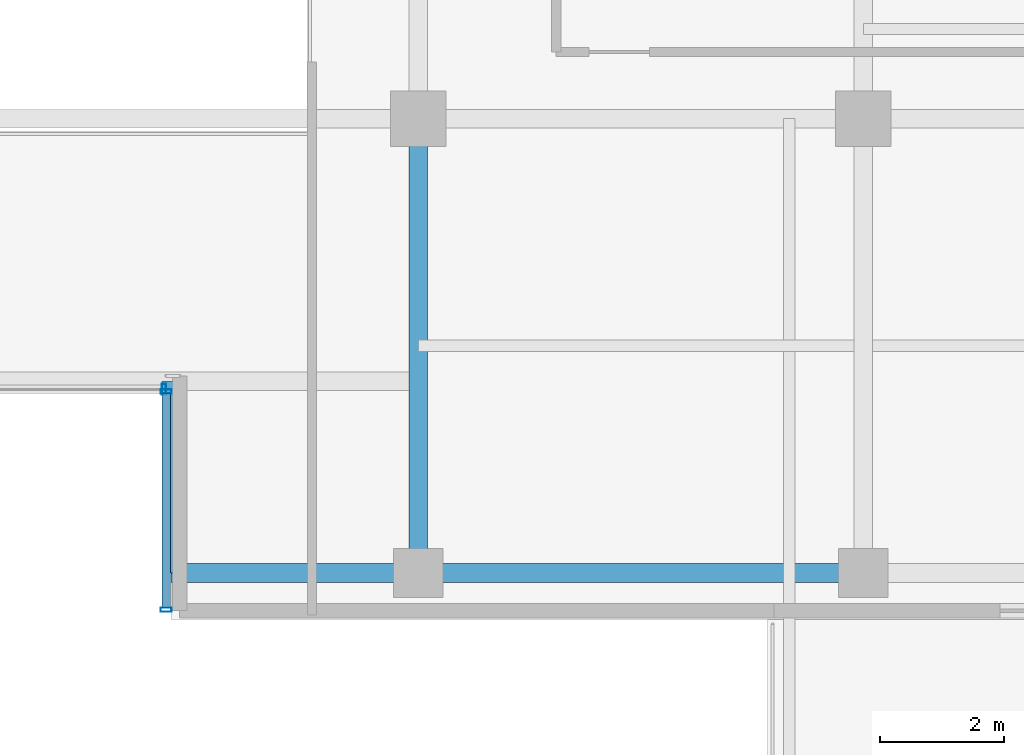
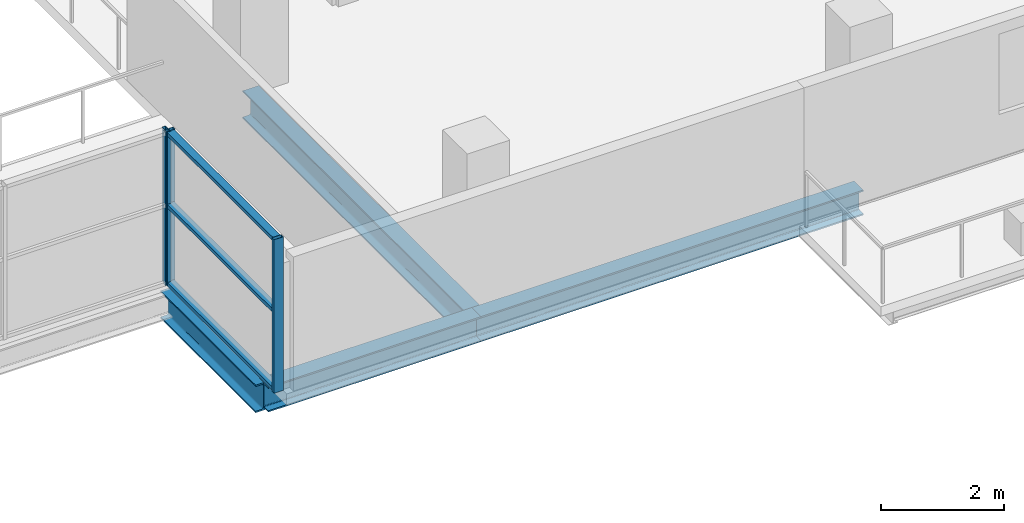
# One storey, part 11 of 25: 6 members, 4 beams, 2 elements without a shape of their own.
"""IFC4 building model written with IfcOpenShell, lengths in metres."""

from ifc_helpers import new_model, si_unit, direction, frame, origin, origin_2d, place, context, subcontext, project, spatial, hollow_rectangle, i_section, extrude, source, transform, mapped, material, layer, layer_set, material_profile, profile_set, type_object, element, aggregate, save


model = new_model("IFC4")

# Units and contexts
model_context = context("Model", 3, precision=1e-05, world=origin(), true_north=direction((0.0, 1.0)))
body_context = subcontext(model_context, "Body", "Model", "MODEL_VIEW")
ifc_project = project(units=[si_unit("LENGTHUNIT", "METRE"), si_unit("AREAUNIT", "SQUARE_METRE"), si_unit("VOLUMEUNIT", "CUBIC_METRE"), si_unit("PLANEANGLEUNIT", "RADIAN"), si_unit("MASSUNIT", "GRAM", prefix="KILO")], contexts=[model_context])

# Site, building, storey
site_placement = place(None, origin())
site = spatial("IfcSite", under=ifc_project, at=site_placement, CompositionType="ELEMENT")
building_placement = place(site_placement, origin())
building = spatial("IfcBuilding", under=site, at=building_placement, Name="Zarnakvel Exchange Tower", CompositionType="ELEMENT")
storey_placement = place(building_placement, frame((0.0, 0.0, 93.39990234375)))
storey = spatial("IfcBuildingStorey", under=building, at=storey_placement, Name="L25", CompositionType="ELEMENT", Elevation=93.39990234375)

# Beams
ifc_material_1 = material(Name="Steel S355", Category="steel")
ifc_material_profile_1 = material_profile(ifc_material_1, i_section(OverallWidth=0.300048828125, OverallDepth=0.550048828125, WebThickness=0.014892578125, FlangeThickness=0.029052734375, FilletRadius=0.027099609375, at=origin_2d()))
ifc_profile_set_1 = profile_set([ifc_material_profile_1], Name="Steel S355")
beam_type_1 = type_object("IfcBeamType", Name="G-05", PredefinedType="BEAM", material=ifc_profile_set_1)
beam_1_placement = place(storey_placement, frame((3.199951171875, -16.949951171875, -0.5), z_axis=(0.0, 1.0, 0.0), x_axis=(-1.0, 0.0, 0.0)))
element("IfcBeam", 1, at=beam_1_placement, inside=storey, type_object=beam_type_1, Name="L25 South Slot East Cheek Beam", PredefinedType="BEAM", context=body_context, shape_type="SweptSolid", body=[
    extrude(i_section(OverallWidth=0.300048828125, OverallDepth=0.550048828125, WebThickness=0.014892578125, FlangeThickness=0.029052734375, FilletRadius=0.027099609375, at=origin_2d()), origin(), (0.0, 0.0, 1.0), 3.099853515625),
])
beam_2_placement = place(storey_placement, frame((7.199951171875, -16.949951171875, -0.5), z_axis=(0.0, 1.0, 0.0), x_axis=(-1.0, 0.0, 0.0)))
element("IfcBeam", 2, at=beam_2_placement, inside=storey, type_object=beam_type_1, Name="L25 Tower N-S Frame Beam", PredefinedType="BEAM", context=body_context, shape_type="SweptSolid", body=[
    extrude(i_section(OverallWidth=0.300048828125, OverallDepth=0.550048828125, WebThickness=0.014892578125, FlangeThickness=0.029052734375, FilletRadius=0.027099609375, at=origin_2d()), origin(), (0.0, 0.0, 1.0), 7.349853515625),
])
ifc_material_profile_2 = material_profile(ifc_material_1, i_section(OverallWidth=0.300048828125, OverallDepth=0.5, WebThickness=0.014404296875, FlangeThickness=0.028076171875, FilletRadius=0.027099609375, at=origin_2d()))
ifc_profile_set_2 = profile_set([ifc_material_profile_2], Name="Steel S355")
beam_type_2 = type_object("IfcBeamType", Name="SP-02", PredefinedType="SPANDREL", material=ifc_profile_set_2)
beam_3_placement = place(storey_placement, frame((3.199951171875, -16.949951171875, -0.474853515625), z_axis=(1.0, 0.0, 0.0), x_axis=(0.0, 1.0, 0.0)))
element("IfcBeam", 3, at=beam_3_placement, inside=storey, type_object=beam_type_2, Name="L25 South Slot East Jamb Spandrel", PredefinedType="SPANDREL", context=body_context, shape_type="SweptSolid", body=[
    extrude(i_section(OverallWidth=0.300048828125, OverallDepth=0.5, WebThickness=0.014404296875, FlangeThickness=0.028076171875, FilletRadius=0.027099609375, at=origin_2d()), origin(), (0.0, 0.0, 1.0), 4.0),
])
beam_4_placement = place(storey_placement, frame((7.199951171875, -16.949951171875, -0.474853515625), z_axis=(1.0, 0.0, 0.0), x_axis=(0.0, 1.0, 0.0)))
element("IfcBeam", 4, at=beam_4_placement, inside=storey, type_object=beam_type_2, Name="L25 Tower E-W Frame Beam", PredefinedType="SPANDREL", context=body_context, shape_type="SweptSolid", body=[
    extrude(i_section(OverallWidth=0.300048828125, OverallDepth=0.5, WebThickness=0.014404296875, FlangeThickness=0.028076171875, FilletRadius=0.027099609375, at=origin_2d()), origin(), (0.0, 0.0, 1.0), 7.199951171875),
])

# Curtain wall, member
ifc_material_2 = material(Name="Architectural Bronze Anodised Aluminium", Category="aluminium")
ifc_layer = layer(ifc_material_2, 0.179931640625)
ifc_layer_set = layer_set([ifc_layer], Name="Architectural Bronze Anodised Aluminium")
curtain_wall_type = type_object("IfcCurtainWallType", Name="CW-05", PredefinedType="NOTDEFINED", material=ifc_layer_set)
curtain_wall_1_placement = place(storey_placement, origin())
curtain_wall_1 = element("IfcCurtainWall", 5, at=curtain_wall_1_placement, inside=storey, type_object=curtain_wall_type, Name="L25 Curtain Wall CW-L25-SLB (CW-05)", PredefinedType="NOTDEFINED")
ifc_material_profile_3 = material_profile(ifc_material_2, hollow_rectangle(XDim=0.179931640625, YDim=0.070068359375, WallThickness=0.00390625, at=origin_2d()))
ifc_profile_set_3 = profile_set([ifc_material_profile_3], Name="Architectural Bronze Anodised Aluminium")
member_type_1 = type_object("IfcMemberType", Name="CWM-05", PredefinedType="MULLION", material=ifc_profile_set_3)
shared_shape_1 = source(origin(), body_context, "Body", "SweptSolid", [
    extrude(hollow_rectangle(XDim=0.179931640625, YDim=0.070068359375, WallThickness=0.00390625, at=origin_2d()), origin(), (0.0, 0.0, 1.0), 3.05517578125),
])
member_1_placement = place(storey_placement, frame((3.0849609375, -13.97998046875, 0.0), z_axis=(0.0, 0.0, 1.0), x_axis=(0.0, 1.0, 0.0)))
member_1 = element("IfcMember", 6, at=member_1_placement, type_object=member_type_1, Name="CW-05 mullion 3", PredefinedType="MULLION", context=body_context, shape_type="MappedRepresentation", body=[
    mapped(shared_shape_1, transform((0.0, 0.0, 0.0), x_axis=(1.0, 0.0, 0.0), y_axis=(0.0, 1.0, 0.0), z_axis=(0.0, 0.0, 1.0), scale=1.0)),
])
aggregate(curtain_wall_1, [member_1])

# Curtain wall, members
curtain_wall_2_placement = place(storey_placement, origin())
curtain_wall_2 = element("IfcCurtainWall", 7, at=curtain_wall_2_placement, inside=storey, type_object=curtain_wall_type, Name="L25 Curtain Wall CW-L25-SLE (CW-05)", PredefinedType="NOTDEFINED")
member_2_placement = place(storey_placement, frame((3.1201171875, -14.014892578125, 0.0), z_axis=(0.0, 0.0, 1.0), x_axis=(1.0, 0.0, 0.0)))
member_2 = element("IfcMember", 8, at=member_2_placement, type_object=member_type_1, Name="CW-05 mullion 1", PredefinedType="MULLION", context=body_context, shape_type="MappedRepresentation", body=[
    mapped(shared_shape_1, transform((0.0, 0.0, 0.0), x_axis=(1.0, 0.0, 0.0), y_axis=(0.0, 1.0, 0.0), z_axis=(0.0, 0.0, 1.0), scale=1.0)),
])
member_3_placement = place(storey_placement, frame((3.1201171875, -17.544921875, 0.0), z_axis=(0.0, 0.0, 1.0), x_axis=(1.0, 0.0, 0.0)))
member_3 = element("IfcMember", 9, at=member_3_placement, type_object=member_type_1, Name="CW-05 mullion 2", PredefinedType="MULLION", context=body_context, shape_type="MappedRepresentation", body=[
    mapped(shared_shape_1, transform((0.0, 0.0, 0.0), x_axis=(1.0, 0.0, 0.0), y_axis=(0.0, 1.0, 0.0), z_axis=(0.0, 0.0, 1.0), scale=1.0)),
])
ifc_material_profile_4 = material_profile(ifc_material_2, hollow_rectangle(XDim=0.139892578125, YDim=0.070068359375, WallThickness=0.00390625, at=origin_2d()))
ifc_profile_set_4 = profile_set([ifc_material_profile_4], Name="Architectural Bronze Anodised Aluminium")
member_type_2 = type_object("IfcMemberType", Name="CWT-05", PredefinedType="USERDEFINED", material=ifc_profile_set_4)
shared_shape_2 = source(origin(), body_context, "Body", "SweptSolid", [
    extrude(hollow_rectangle(XDim=0.139892578125, YDim=0.070068359375, WallThickness=0.00390625, at=origin_2d()), origin(), (0.0, 0.0, 1.0), 3.4599609375),
])
member_4_placement = place(storey_placement, frame((3.1201171875, -14.050048828125, 0.03515625), z_axis=(0.0, -1.0, 0.0), x_axis=(1.0, 0.0, 0.0)))
member_4 = element("IfcMember", 10, at=member_4_placement, type_object=member_type_2, Name="CW-05 transom 1.1", ObjectType="TRANSOM", PredefinedType="USERDEFINED", context=body_context, shape_type="MappedRepresentation", body=[
    mapped(shared_shape_2, transform((0.0, 0.0, 0.0), x_axis=(1.0, 0.0, 0.0), y_axis=(0.0, 1.0, 0.0), z_axis=(0.0, 0.0, 1.0), scale=1.0)),
])
member_5_placement = place(storey_placement, frame((3.1201171875, -14.050048828125, 1.588623046875), z_axis=(0.0, -1.0, 0.0), x_axis=(1.0, 0.0, 0.0)))
member_5 = element("IfcMember", 11, at=member_5_placement, type_object=member_type_2, Name="CW-05 transom 1.2", ObjectType="TRANSOM", PredefinedType="USERDEFINED", context=body_context, shape_type="MappedRepresentation", body=[
    mapped(shared_shape_2, transform((0.0, 0.0, 0.0), x_axis=(1.0, 0.0, 0.0), y_axis=(0.0, 1.0, 0.0), z_axis=(0.0, 0.0, 1.0), scale=1.0)),
])
member_6_placement = place(storey_placement, frame((3.1201171875, -14.050048828125, 3.02001953125), z_axis=(0.0, -1.0, 0.0), x_axis=(1.0, 0.0, 0.0)))
member_6 = element("IfcMember", 12, at=member_6_placement, type_object=member_type_2, Name="CW-05 transom 1.3", ObjectType="TRANSOM", PredefinedType="USERDEFINED", context=body_context, shape_type="MappedRepresentation", body=[
    mapped(shared_shape_2, transform((0.0, 0.0, 0.0), x_axis=(1.0, 0.0, 0.0), y_axis=(0.0, 1.0, 0.0), z_axis=(0.0, 0.0, 1.0), scale=1.0)),
])
aggregate(curtain_wall_2, [member_2, member_3, member_4, member_5, member_6])

save(model, "model.ifc")
